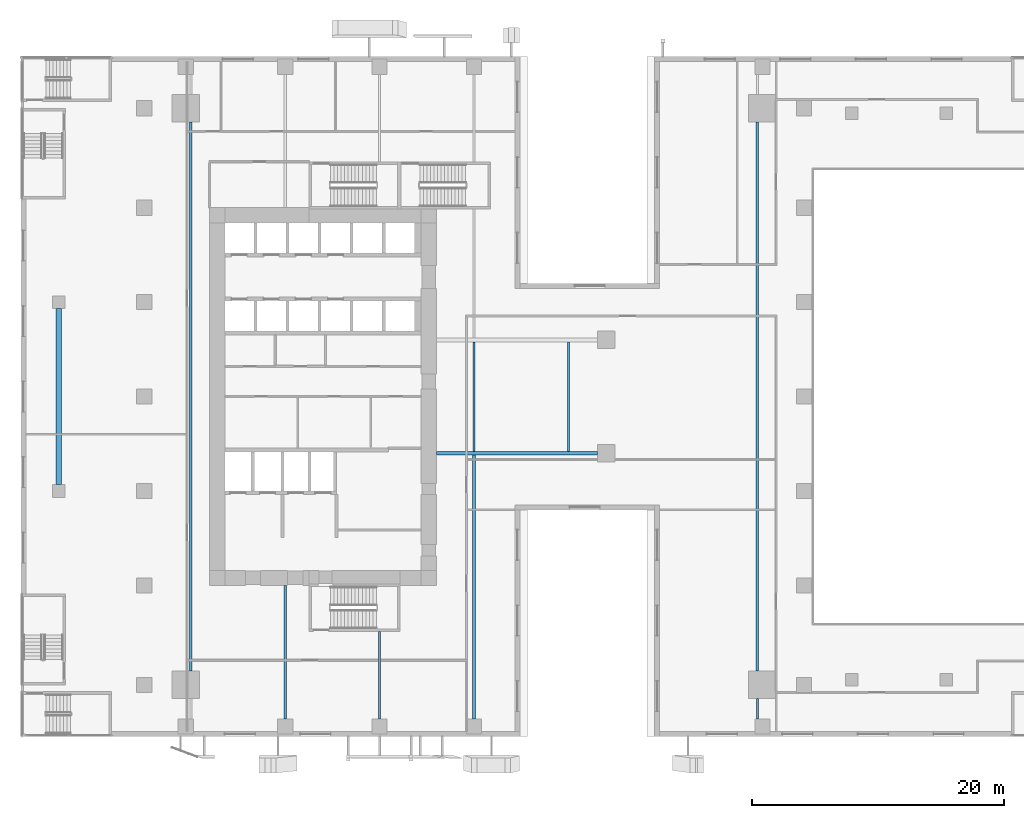
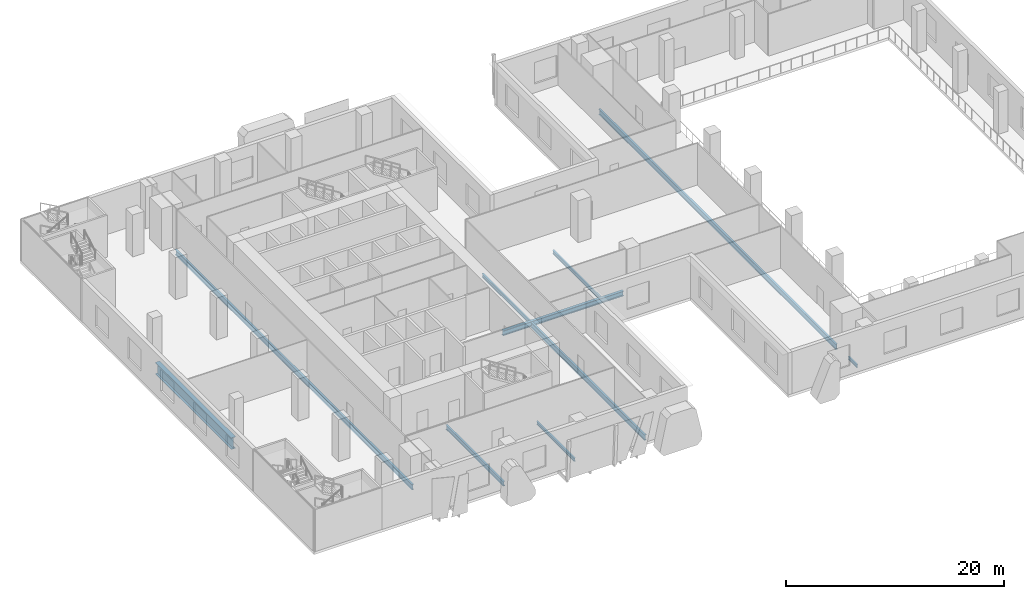
# One storey, part 3 of 23: 10 beams.
"""IFC4 building model written with IfcOpenShell, lengths in metres."""

from ifc_helpers import new_model, si_unit, direction, frame, origin, origin_2d, place, context, subcontext, project, spatial, i_section, extrude, source, transform, mapped, material, material_profile, profile_set, type_object, element, save


model = new_model("IFC4")

# Units and contexts
model_context = context("Model", 3, precision=1e-05, world=origin(), true_north=direction((0.0, 1.0)))
body_context = subcontext(model_context, "Body", "Model", "MODEL_VIEW")
ifc_project = project(units=[si_unit("LENGTHUNIT", "METRE"), si_unit("AREAUNIT", "SQUARE_METRE"), si_unit("VOLUMEUNIT", "CUBIC_METRE"), si_unit("PLANEANGLEUNIT", "RADIAN"), si_unit("MASSUNIT", "GRAM", prefix="KILO")], contexts=[model_context])

# Site, building, storey
site_placement = place(None, origin())
site = spatial("IfcSite", under=ifc_project, at=site_placement, CompositionType="ELEMENT")
building_placement = place(site_placement, origin())
building = spatial("IfcBuilding", under=site, at=building_placement, Name="Khomas Fold Tower", CompositionType="ELEMENT")
storey_placement = place(building_placement, frame((0.0, 0.0, 18.5)))
storey = spatial("IfcBuildingStorey", under=building, at=storey_placement, Name="L03", CompositionType="ELEMENT", Elevation=18.5)

# Beams
ifc_material_1 = material(Name="Steel S355", Category="steel")
ifc_material_profile_1 = material_profile(ifc_material_1, i_section(OverallWidth=0.300048828125, OverallDepth=0.550048828125, WebThickness=0.014892578125, FlangeThickness=0.029052734375, at=origin_2d()), Name="HE 550 B")
ifc_profile_set_1 = profile_set([ifc_material_profile_1], Name="Steel S355")
beam_type_1 = type_object("IfcBeamType", Name="HE 550 B beam GB4", PredefinedType="BEAM", material=ifc_profile_set_1)
shared_shape_1 = source(origin(), body_context, "Body", "SweptSolid", [
    extrude(i_section(OverallWidth=0.300048828125, OverallDepth=0.550048828125, WebThickness=0.014892578125, FlangeThickness=0.029052734375, at=origin_2d()), origin(), (0.0, 0.0, 1.0), 12.800048828125),
])
beam_1_placement = place(storey_placement, frame((24.0, 22.5, -0.574951171875), z_axis=(1.0, 0.0, 0.0), x_axis=(0.0, 1.0, 0.0)))
element("IfcBeam", 1, at=beam_1_placement, inside=storey, type_object=beam_type_1, Name="GB4", PredefinedType="BEAM", context=body_context, shape_type="MappedRepresentation", body=[
    mapped(shared_shape_1, transform((0.0, 0.0, 0.0))),
])
ifc_material_2 = material(Name="Steel S355", Category="steel")
ifc_material_profile_2 = material_profile(ifc_material_2, i_section(OverallWidth=0.159912109375, OverallDepth=0.330078125, WebThickness=0.007568359375, FlangeThickness=0.011474609375, at=origin_2d()), Name="IPE 330")
ifc_profile_set_2 = profile_set([ifc_material_profile_2], Name="Steel S355")
beam_type_2 = type_object("IfcBeamType", Name="IPE 330 beam JB1", PredefinedType="BEAM", material=ifc_profile_set_2)
shared_shape_2 = source(origin(), body_context, "Body", "SweptSolid", [
    extrude(i_section(OverallWidth=0.159912109375, OverallDepth=0.330078125, WebThickness=0.007568359375, FlangeThickness=0.011474609375, at=origin_2d()), origin(), (0.0, 0.0, 1.0), 1.60009765625),
])
beam_2_placement = place(storey_placement, frame((49.5, 1.39990234375, -0.465087890625), z_axis=(0.0, 1.0, 0.0), x_axis=(-1.0, 0.0, 0.0)))
element("IfcBeam", 2, at=beam_2_placement, inside=storey, type_object=beam_type_2, Name="JB1", PredefinedType="BEAM", context=body_context, shape_type="MappedRepresentation", body=[
    mapped(shared_shape_2, transform((0.0, 0.0, 0.0))),
])
ifc_material_3 = material(Name="Steel S355", Category="steel")
ifc_material_profile_3 = material_profile(ifc_material_3, i_section(OverallWidth=0.219970703125, OverallDepth=0.60009765625, WebThickness=0.011962890625, FlangeThickness=0.01904296875, at=origin_2d()), Name="IPE 600")
ifc_profile_set_3 = profile_set([ifc_material_profile_3], Name="Steel S355")
beam_type_3 = type_object("IfcBeamType", Name="IPE 600 beam JB7", PredefinedType="BEAM", material=ifc_profile_set_3)
shared_shape_3 = source(origin(), body_context, "Body", "SweptSolid", [
    extrude(i_section(OverallWidth=0.219970703125, OverallDepth=0.60009765625, WebThickness=0.011962890625, FlangeThickness=0.01904296875, at=origin_2d()), origin(), (0.0, 0.0, 1.0), 43.60009765625),
])
for number, where, z_axis, x_axis, name in (
    (3, (4.5, 5.199951171875, -0.60009765625), (0.0, 1.0, 0.0), (-1.0, 0.0, 0.0), "JB7"),
    (4, (49.5, 5.199951171875, -0.60009765625), (0.0, 1.0, 0.0), (-1.0, 0.0, 0.0), "JB7"),
):
    element("IfcBeam", number, at=place(storey_placement, frame(where, z_axis=z_axis, x_axis=x_axis)), inside=storey, type_object=beam_type_3, Name=name, PredefinedType="BEAM", context=body_context, shape_type="MappedRepresentation", body=[
        mapped(shared_shape_3, transform((0.0, 0.0, 0.0))),
    ])
ifc_material_4 = material(Name="Steel S355", Category="steel")
ifc_material_profile_4 = material_profile(ifc_material_4, i_section(OverallWidth=0.199951171875, OverallDepth=0.5, WebThickness=0.01025390625, FlangeThickness=0.01611328125, at=origin_2d()), Name="IPE 500")
ifc_profile_set_4 = profile_set([ifc_material_profile_4], Name="Steel S355")
beam_type_4 = type_object("IfcBeamType", Name="IPE 500 beam JB5", PredefinedType="BEAM", material=ifc_profile_set_4)
shared_shape_4 = source(origin(), body_context, "Body", "SweptSolid", [
    extrude(i_section(OverallWidth=0.199951171875, OverallDepth=0.5, WebThickness=0.01025390625, FlangeThickness=0.01611328125, at=origin_2d()), origin(), (0.0, 0.0, 1.0), 10.60009765625),
])
beam_3_placement = place(storey_placement, frame((12.0, 1.39990234375, -0.550048828125), z_axis=(0.0, 1.0, 0.0), x_axis=(-1.0, 0.0, 0.0)))
element("IfcBeam", 5, at=beam_3_placement, inside=storey, type_object=beam_type_4, Name="JB5", PredefinedType="BEAM", context=body_context, shape_type="MappedRepresentation", body=[
    mapped(shared_shape_4, transform((0.0, 0.0, 0.0))),
])
ifc_material_5 = material(Name="Steel S355", Category="steel")
ifc_material_profile_5 = material_profile(ifc_material_5, i_section(OverallWidth=0.169921875, OverallDepth=0.360107421875, WebThickness=0.008056640625, FlangeThickness=0.0126953125, at=origin_2d()), Name="IPE 360")
ifc_profile_set_5 = profile_set([ifc_material_profile_5], Name="Steel S355")
beam_type_5 = type_object("IfcBeamType", Name="IPE 360 beam JB2", PredefinedType="BEAM", material=ifc_profile_set_5)
shared_shape_5 = source(origin(), body_context, "Body", "SweptSolid", [
    extrude(i_section(OverallWidth=0.169921875, OverallDepth=0.360107421875, WebThickness=0.008056640625, FlangeThickness=0.0126953125, at=origin_2d()), origin(), (0.0, 0.0, 1.0), 6.9501953125),
])
beam_4_placement = place(storey_placement, frame((19.5, 1.39990234375, -0.47998046875), z_axis=(0.0, 1.0, 0.0), x_axis=(-1.0, 0.0, 0.0)))
element("IfcBeam", 6, at=beam_4_placement, inside=storey, type_object=beam_type_5, Name="JB2", PredefinedType="BEAM", context=body_context, shape_type="MappedRepresentation", body=[
    mapped(shared_shape_5, transform((0.0, 0.0, 0.0))),
])
shared_shape_6 = source(origin(), body_context, "Body", "SweptSolid", [
    extrude(i_section(OverallWidth=0.219970703125, OverallDepth=0.60009765625, WebThickness=0.011962890625, FlangeThickness=0.01904296875, at=origin_2d()), origin(), (0.0, 0.0, 1.0), 20.9501953125),
])
beam_5_placement = place(storey_placement, frame((27.0, 1.39990234375, -0.60009765625), z_axis=(0.0, 1.0, 0.0), x_axis=(-1.0, 0.0, 0.0)))
element("IfcBeam", 7, at=beam_5_placement, inside=storey, type_object=beam_type_3, Name="JB7", PredefinedType="BEAM", context=body_context, shape_type="MappedRepresentation", body=[
    mapped(shared_shape_6, transform((0.0, 0.0, 0.0))),
])
ifc_material_6 = material(Name="Steel S355", Category="steel")
ifc_material_profile_6 = material_profile(ifc_material_6, i_section(OverallWidth=0.179931640625, OverallDepth=0.39990234375, WebThickness=0.008544921875, FlangeThickness=0.013427734375, at=origin_2d()), Name="IPE 400")
ifc_profile_set_6 = profile_set([ifc_material_profile_6], Name="Steel S355")
beam_type_6 = type_object("IfcBeamType", Name="IPE 400 beam JB3", PredefinedType="BEAM", material=ifc_profile_set_6)
shared_shape_7 = source(origin(), body_context, "Body", "SweptSolid", [
    extrude(i_section(OverallWidth=0.179931640625, OverallDepth=0.39990234375, WebThickness=0.008544921875, FlangeThickness=0.013427734375, at=origin_2d()), origin(), (0.0, 0.0, 1.0), 8.7001953125),
])
for number, where, z_axis, x_axis, name in (
    (8, (27.0, 22.64990234375, -0.5), (0.0, 1.0, 0.0), (-1.0, 0.0, 0.0), "JB3"),
    (9, (34.5, 22.64990234375, -0.5), (0.0, 1.0, 0.0), (-1.0, 0.0, 0.0), "JB3"),
):
    element("IfcBeam", number, at=place(storey_placement, frame(where, z_axis=z_axis, x_axis=x_axis)), inside=storey, type_object=beam_type_6, Name=name, PredefinedType="BEAM", context=body_context, shape_type="MappedRepresentation", body=[
        mapped(shared_shape_7, transform((0.0, 0.0, 0.0))),
    ])
ifc_material_7 = material(Name="Steel S460M", Category="steel")
ifc_material_profile_7 = material_profile(ifc_material_7, i_section(OverallWidth=0.449951171875, OverallDepth=1.300048828125, WebThickness=0.02490234375, FlangeThickness=0.050048828125, at=origin_2d()), Name="PG 1300x450")
ifc_profile_set_7 = profile_set([ifc_material_profile_7], Name="Steel S460M")
beam_type_7 = type_object("IfcBeamType", Name="PG 1300x450 beam TG2", PredefinedType="BEAM", material=ifc_profile_set_7)
shared_shape_8 = source(origin(), body_context, "Body", "SweptSolid", [
    extrude(i_section(OverallWidth=0.449951171875, OverallDepth=1.300048828125, WebThickness=0.02490234375, FlangeThickness=0.050048828125, at=origin_2d()), origin(), (0.0, 0.0, 1.0), 14.0),
])
beam_6_placement = place(storey_placement, frame((-6.0, 20.0, -0.949951171875), z_axis=(0.0, 1.0, 0.0), x_axis=(-1.0, 0.0, 0.0)))
element("IfcBeam", 10, at=beam_6_placement, inside=storey, type_object=beam_type_7, Name="TG2", PredefinedType="BEAM", context=body_context, shape_type="MappedRepresentation", body=[
    mapped(shared_shape_8, transform((0.0, 0.0, 0.0))),
])

save(model, "model.ifc")
